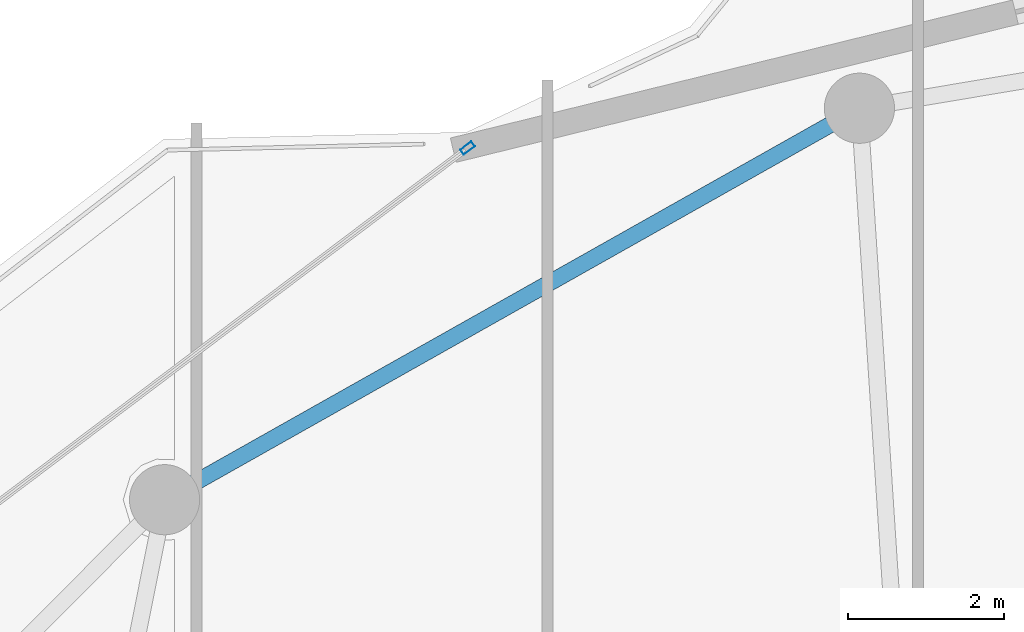
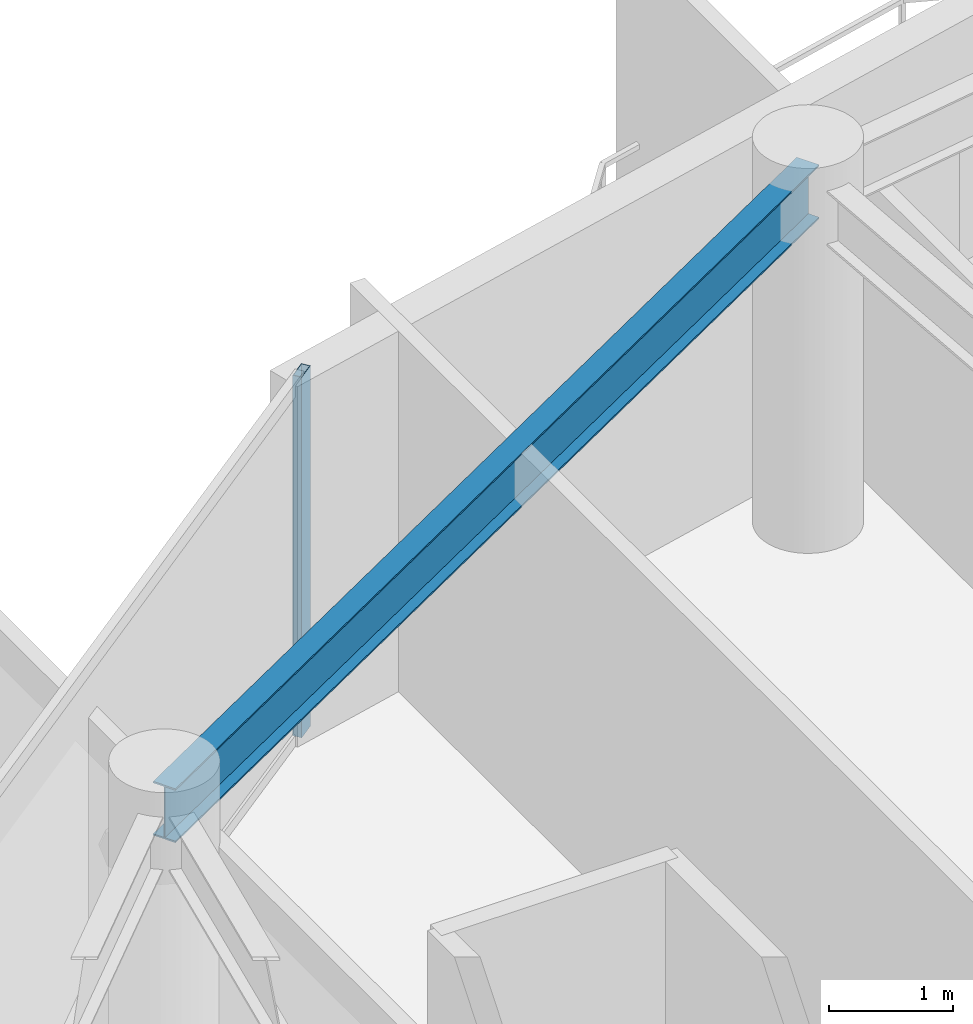
# One storey, part 19 of 30: 1 beam, 1 member, 1 element without a shape of its own.
"""IFC4 building model written with IfcOpenShell, lengths in metres."""

from ifc_helpers import new_model, si_unit, direction, frame, origin, origin_2d, place, context, subcontext, project, spatial, hollow_rectangle, i_section, extrude, material, layer, layer_set, material_profile, profile_set, type_object, element, aggregate, save


model = new_model("IFC4")

# Units and contexts
model_context = context("Model", 3, precision=1e-05, world=origin(), true_north=direction((0.0, 1.0)))
body_context = subcontext(model_context, "Body", "Model", "MODEL_VIEW")
ifc_project = project(units=[si_unit("LENGTHUNIT", "METRE"), si_unit("AREAUNIT", "SQUARE_METRE"), si_unit("VOLUMEUNIT", "CUBIC_METRE"), si_unit("PLANEANGLEUNIT", "RADIAN"), si_unit("MASSUNIT", "GRAM", prefix="KILO")], contexts=[model_context])

# Site, building, storey
site_placement = place(None, origin())
site = spatial("IfcSite", under=ifc_project, at=site_placement, CompositionType="ELEMENT")
building_placement = place(site_placement, origin())
building = spatial("IfcBuilding", under=site, at=building_placement, Name="Kazevale Care Tower and Concert Hall", CompositionType="ELEMENT")
storey_placement = place(building_placement, frame((0.0, 0.0, 258.60009765625)))
storey = spatial("IfcBuildingStorey", under=building, at=storey_placement, Name="L68", CompositionType="ELEMENT", Elevation=258.60009765625)

# Curtain wall, member
ifc_material_1 = material(Name="Aluminium 6063-T6 and Low-E Glass", Category="aluminium")
ifc_layer = layer(ifc_material_1, 0.179931640625)
ifc_layer_set = layer_set([ifc_layer], Name="Aluminium 6063-T6 and Low-E Glass")
curtain_wall_type = type_object("IfcCurtainWallType", Name="Waist & Upper Residential Curtain Wall CW-4", PredefinedType="NOTDEFINED", material=ifc_layer_set)
curtain_wall_placement = place(storey_placement, origin())
curtain_wall = element("IfcCurtainWall", 1, at=curtain_wall_placement, inside=storey, type_object=curtain_wall_type, Name="cw:L68:f14", PredefinedType="NOTDEFINED")
ifc_material_2 = material(Name="Aluminium 6063-T6", Category="aluminium")
ifc_material_profile_1 = material_profile(ifc_material_2, hollow_rectangle(XDim=0.080078125, YDim=0.179931640625, WallThickness=0.0048828125, at=origin_2d()), Name="ALU80x180x5")
ifc_profile_set_1 = profile_set([ifc_material_profile_1], Name="Aluminium 6063-T6")
member_type = type_object("IfcMemberType", Name="CW-4 Mullion ALU80x180x5", PredefinedType="MULLION", material=ifc_profile_set_1)
member_placement = place(storey_placement, frame((29.47509765625, 58.8798828125, 0.0), z_axis=(0.0, 0.0, 1.0), x_axis=(-0.602512583142, 0.798109382952, 0.0)))
member = element("IfcMember", 2, at=member_placement, type_object=member_type, Name="CW-4 mullion 2", PredefinedType="MULLION", context=body_context, shape_type="SweptSolid", body=[
    extrude(hollow_rectangle(XDim=0.080078125, YDim=0.179931640625, WallThickness=0.0048828125, at=origin_2d()), origin(), (0.0, 0.0, 1.0), 3.559814453125),
])
aggregate(curtain_wall, [member])

# Beam
ifc_material_3 = material(Name="Steel ASTM A572 Gr 50", Category="steel")
ifc_material_profile_2 = material_profile(ifc_material_3, i_section(OverallWidth=0.208984375, OverallDepth=0.532958984375, WebThickness=0.01025390625, FlangeThickness=0.015625, at=origin_2d()), Name="W530x92")
ifc_profile_set_2 = profile_set([ifc_material_profile_2], Name="Steel ASTM A572 Gr 50")
beam_type = type_object("IfcBeamType", Name="Upper Ring Beam W530x92", PredefinedType="BEAM", material=ifc_profile_set_2)
beam_placement = place(storey_placement, frame((34.5, 59.389892578125, 3.29345703125), z_axis=(-0.871243170179, -0.490851646035, 0.0), x_axis=(0.490851646035, -0.871243170179, 0.0)))
element("IfcBeam", 3, at=beam_placement, inside=storey, type_object=beam_type, Name="beam:L68:ring:06", PredefinedType="BEAM", context=body_context, shape_type="SweptSolid", body=[
    extrude(i_section(OverallWidth=0.208984375, OverallDepth=0.532958984375, WebThickness=0.01025390625, FlangeThickness=0.015625, at=origin_2d()), origin(), (0.0, 0.0, 1.0), 10.2265625),
])

save(model, "model.ifc")
